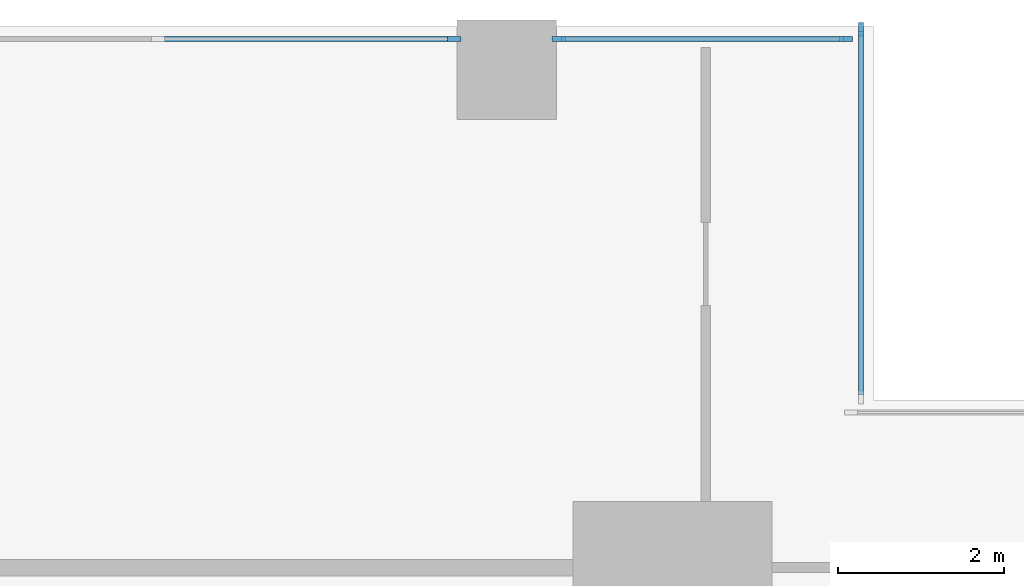
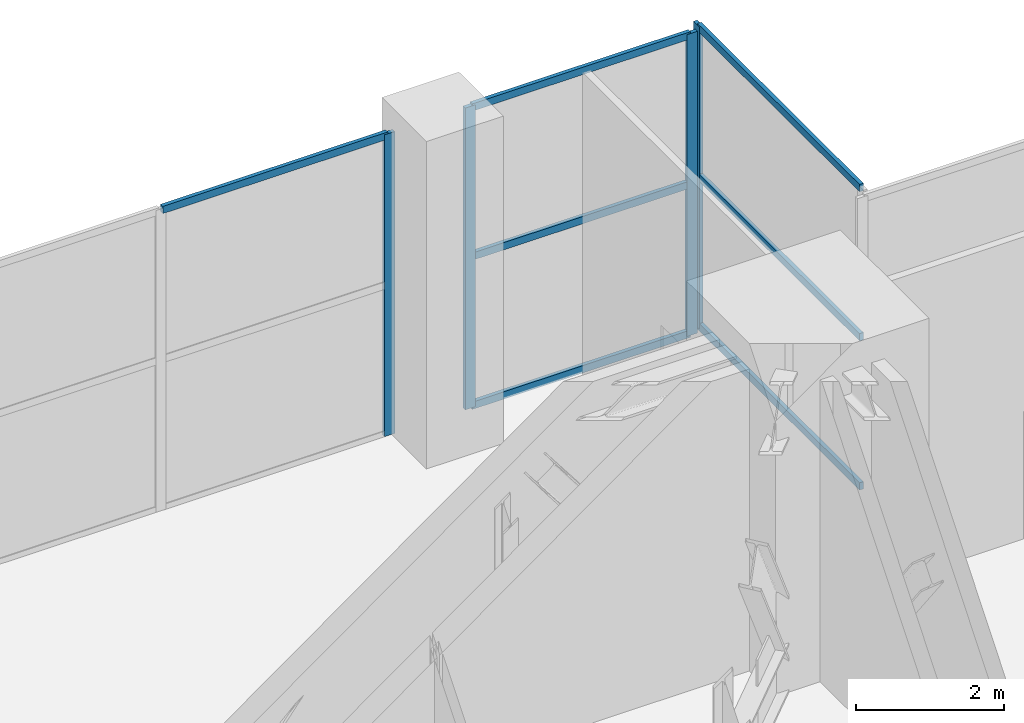
# One storey, part 10 of 21: 11 members, 3 elements without a shape of their own.
"""IFC4 building model written with IfcOpenShell, lengths in metres."""

from ifc_helpers import new_model, si_unit, direction, frame, origin, origin_2d, place, context, subcontext, project, spatial, rectangle, extrude, material, material_profile, profile_set, type_object, element, aggregate, save


model = new_model("IFC4")

# Units and contexts
model_context = context("Model", 3, precision=1e-05, world=origin(), true_north=direction((0.0, 1.0)))
body_context = subcontext(model_context, "Body", "Model", "MODEL_VIEW")
ifc_project = project(units=[si_unit("LENGTHUNIT", "METRE"), si_unit("AREAUNIT", "SQUARE_METRE"), si_unit("VOLUMEUNIT", "CUBIC_METRE"), si_unit("PLANEANGLEUNIT", "RADIAN"), si_unit("MASSUNIT", "GRAM", prefix="KILO")], contexts=[model_context])

# Site, building, storey
site_placement = place(None, origin())
site = spatial("IfcSite", under=ifc_project, at=site_placement, CompositionType="ELEMENT")
building_placement = place(site_placement, origin())
building = spatial("IfcBuilding", under=site, at=building_placement, Name="Khepri Terraces", CompositionType="ELEMENT")
storey_placement = place(building_placement, frame((0.0, 0.0, 235.199951171875)))
storey = spatial("IfcBuildingStorey", under=building, at=storey_placement, Name="L56", CompositionType="ELEMENT", Elevation=235.199951171875)

# Curtain wall, member
ifc_material_1 = material(Name="Anodised aluminium bronze curtain wall", Category="aluminium")
curtain_wall_type = type_object("IfcCurtainWallType", Name="CW-SYS3-SKY", PredefinedType="NOTDEFINED", material=ifc_material_1)
curtain_wall_1_placement = place(storey_placement, origin())
curtain_wall_1 = element("IfcCurtainWall", 1, at=curtain_wall_1_placement, inside=storey, type_object=curtain_wall_type, Name="Curtain wall CW3 L56 E", PredefinedType="NOTDEFINED")
ifc_material_2 = material(Name="Anodised aluminium bronze", Category="aluminium")
ifc_material_profile_1 = material_profile(ifc_material_2, rectangle(XDim=0.06005859375, YDim=0.159912109375, at=origin_2d()), Name="Anodised aluminium bronze", Category="aluminium")
ifc_profile_set_1 = profile_set([ifc_material_profile_1], Name="Anodised aluminium bronze")
member_type_1 = type_object("IfcMemberType", Name="CW-MULLION-60x160", PredefinedType="MULLION", material=ifc_profile_set_1)
member_1_placement = place(storey_placement, frame((21.070068359375, 25.68994140625, 0.0), z_axis=(0.0, 0.0, 1.0), x_axis=(-1.0, 0.0, 0.0)))
member_1 = element("IfcMember", 2, at=member_1_placement, type_object=member_type_1, Name="CW3 mullion 2", PredefinedType="MULLION", context=body_context, shape_type="SweptSolid", body=[
    extrude(rectangle(XDim=0.06005859375, YDim=0.159912109375, at=origin_2d()), origin(), (0.0, 0.0, 1.0), 4.97998046875),
])

# Curtain wall, members
curtain_wall_2_placement = place(storey_placement, origin())
curtain_wall_2 = element("IfcCurtainWall", 3, at=curtain_wall_2_placement, inside=storey, type_object=curtain_wall_type, Name="Curtain wall CW3 L56 N", PredefinedType="NOTDEFINED")
member_2_placement = place(storey_placement, frame((20.889892578125, 25.570068359375, 0.0), z_axis=(0.0, 0.0, 1.0), x_axis=(0.0, -1.0, 0.0)))
member_2 = element("IfcMember", 4, at=member_2_placement, type_object=member_type_1, Name="CW3 mullion 1", PredefinedType="MULLION", context=body_context, shape_type="SweptSolid", body=[
    extrude(rectangle(XDim=0.06005859375, YDim=0.159912109375, at=origin_2d()), origin(), (0.0, 0.0, 1.0), 4.97998046875),
])
member_3_placement = place(storey_placement, frame((17.429931640625, 25.570068359375, 0.0), z_axis=(0.0, 0.0, 1.0), x_axis=(0.0, -1.0, 0.0)))
member_3 = element("IfcMember", 5, at=member_3_placement, type_object=member_type_1, Name="CW3 mullion 2", PredefinedType="MULLION", context=body_context, shape_type="SweptSolid", body=[
    extrude(rectangle(XDim=0.06005859375, YDim=0.159912109375, at=origin_2d()), origin(), (0.0, 0.0, 1.0), 4.97998046875),
])

# Curtain wall, member
curtain_wall_3_placement = place(storey_placement, origin())
curtain_wall_3 = element("IfcCurtainWall", 6, at=curtain_wall_3_placement, inside=storey, type_object=curtain_wall_type, Name="Curtain wall CW3 L56 N", PredefinedType="NOTDEFINED")
member_4_placement = place(storey_placement, frame((16.169921875, 25.570068359375, 0.0), z_axis=(0.0, 0.0, 1.0), x_axis=(0.0, -1.0, 0.0)))
member_4 = element("IfcMember", 7, at=member_4_placement, type_object=member_type_1, Name="CW3 mullion 1", PredefinedType="MULLION", context=body_context, shape_type="SweptSolid", body=[
    extrude(rectangle(XDim=0.06005859375, YDim=0.159912109375, at=origin_2d()), origin(), (0.0, 0.0, 1.0), 4.97998046875),
])

# Member
ifc_material_profile_2 = material_profile(ifc_material_2, rectangle(XDim=0.06005859375, YDim=0.1201171875, at=origin_2d()), Name="Anodised aluminium bronze", Category="aluminium")
ifc_profile_set_2 = profile_set([ifc_material_profile_2], Name="Anodised aluminium bronze")
member_type_2 = type_object("IfcMemberType", Name="CW-TRANSOM-60x120", PredefinedType="USERDEFINED", material=ifc_profile_set_2)
member_5_placement = place(storey_placement, frame((21.070068359375, 21.280029296875, 0.030029296875), z_axis=(0.0, 1.0, 0.0), x_axis=(-1.0, 0.0, 0.0)))
member_5 = element("IfcMember", 8, at=member_5_placement, type_object=member_type_2, Name="CW3 transom 1.1", ObjectType="TRANSOM", PredefinedType="USERDEFINED", context=body_context, shape_type="SweptSolid", body=[
    extrude(rectangle(XDim=0.06005859375, YDim=0.1201171875, at=origin_2d()), origin(), (0.0, 0.0, 1.0), 4.3798828125),
])

member_6_placement = place(storey_placement, frame((21.070068359375, 21.280029296875, 2.489990234375), z_axis=(0.0, 1.0, 0.0), x_axis=(-1.0, 0.0, 0.0)))
member_6 = element("IfcMember", 9, at=member_6_placement, type_object=member_type_2, Name="CW3 transom 1.2", ObjectType="TRANSOM", PredefinedType="USERDEFINED", context=body_context, shape_type="SweptSolid", body=[
    extrude(rectangle(XDim=0.06005859375, YDim=0.1201171875, at=origin_2d()), origin(), (0.0, 0.0, 1.0), 4.3798828125),
])

member_7_placement = place(storey_placement, frame((21.070068359375, 21.280029296875, 4.949951171875), z_axis=(0.0, 1.0, 0.0), x_axis=(-1.0, 0.0, 0.0)))
member_7 = element("IfcMember", 10, at=member_7_placement, type_object=member_type_2, Name="CW3 transom 1.3", ObjectType="TRANSOM", PredefinedType="USERDEFINED", context=body_context, shape_type="SweptSolid", body=[
    extrude(rectangle(XDim=0.06005859375, YDim=0.1201171875, at=origin_2d()), origin(), (0.0, 0.0, 1.0), 4.3798828125),
])

aggregate(curtain_wall_1, [member_1, member_5, member_6, member_7])

member_8_placement = place(storey_placement, frame((20.860107421875, 25.570068359375, 0.030029296875), z_axis=(-1.0, 0.0, 0.0), x_axis=(0.0, -1.0, 0.0)))
member_8 = element("IfcMember", 11, at=member_8_placement, type_object=member_type_2, Name="CW3 transom 1.1", ObjectType="TRANSOM", PredefinedType="USERDEFINED", context=body_context, shape_type="SweptSolid", body=[
    extrude(rectangle(XDim=0.06005859375, YDim=0.1201171875, at=origin_2d()), origin(), (0.0, 0.0, 1.0), 3.400146484375),
])

member_9_placement = place(storey_placement, frame((20.860107421875, 25.570068359375, 2.489990234375), z_axis=(-1.0, 0.0, 0.0), x_axis=(0.0, -1.0, 0.0)))
member_9 = element("IfcMember", 12, at=member_9_placement, type_object=member_type_2, Name="CW3 transom 1.2", ObjectType="TRANSOM", PredefinedType="USERDEFINED", context=body_context, shape_type="SweptSolid", body=[
    extrude(rectangle(XDim=0.06005859375, YDim=0.1201171875, at=origin_2d()), origin(), (0.0, 0.0, 1.0), 3.400146484375),
])

member_10_placement = place(storey_placement, frame((20.860107421875, 25.570068359375, 4.949951171875), z_axis=(-1.0, 0.0, 0.0), x_axis=(0.0, -1.0, 0.0)))
member_10 = element("IfcMember", 13, at=member_10_placement, type_object=member_type_2, Name="CW3 transom 1.3", ObjectType="TRANSOM", PredefinedType="USERDEFINED", context=body_context, shape_type="SweptSolid", body=[
    extrude(rectangle(XDim=0.06005859375, YDim=0.1201171875, at=origin_2d()), origin(), (0.0, 0.0, 1.0), 3.400146484375),
])

aggregate(curtain_wall_2, [member_2, member_3, member_8, member_9, member_10])

member_11_placement = place(storey_placement, frame((16.139892578125, 25.570068359375, 4.949951171875), z_axis=(-1.0, 0.0, 0.0), x_axis=(0.0, -1.0, 0.0)))
member_11 = element("IfcMember", 14, at=member_11_placement, type_object=member_type_2, Name="CW3 transom 1.3", ObjectType="TRANSOM", PredefinedType="USERDEFINED", context=body_context, shape_type="SweptSolid", body=[
    extrude(rectangle(XDim=0.06005859375, YDim=0.1201171875, at=origin_2d()), origin(), (0.0, 0.0, 1.0), 3.510009765625),
])

aggregate(curtain_wall_3, [member_4, member_11])

save(model, "model.ifc")
